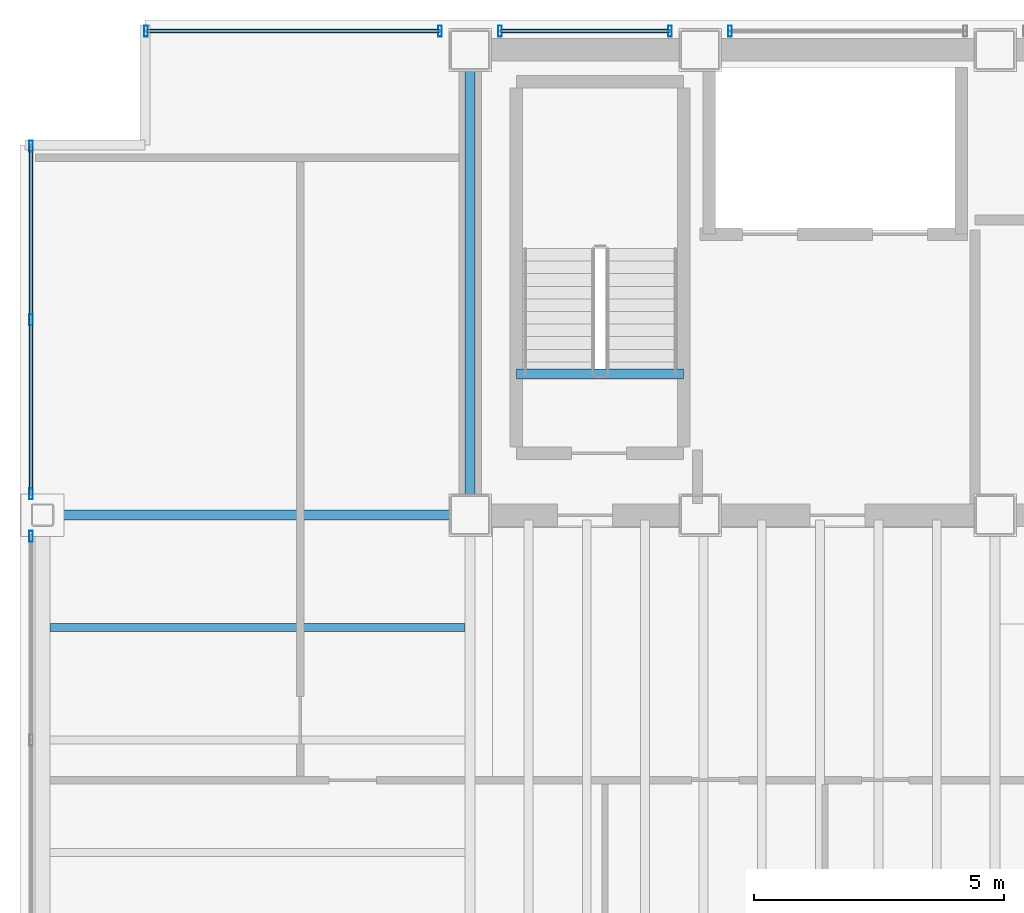
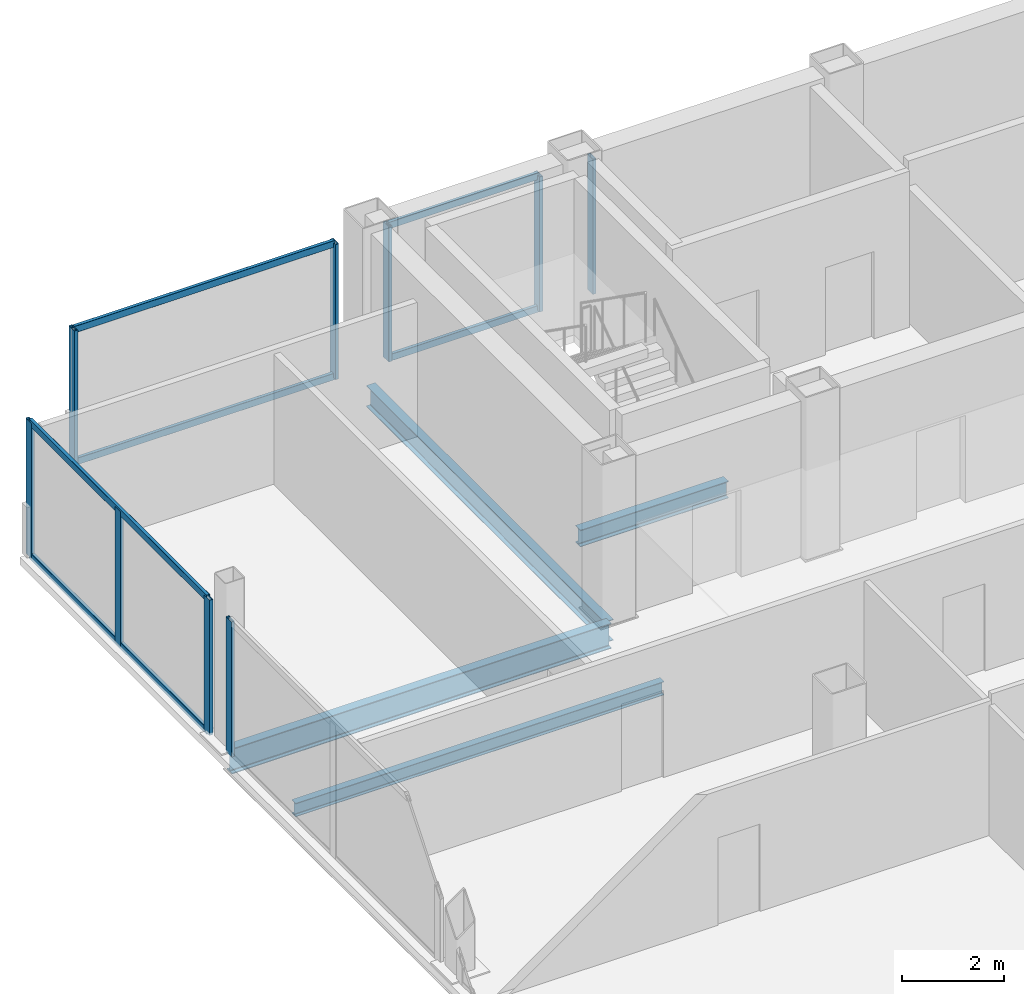
# One storey, part 8 of 17: 15 members, 4 beams, 5 elements without a shape of their own.
"""IFC4 building model written with IfcOpenShell, lengths in metres."""

from ifc_helpers import new_model, si_unit, direction, frame, origin, origin_2d, place, context, subcontext, project, spatial, hollow_rectangle, i_section, extrude, material, material_profile, profile_set, type_object, element, aggregate, save


model = new_model("IFC4")

# Units and contexts
model_context = context("Model", 3, precision=1e-05, world=origin(), true_north=direction((0.0, 1.0)))
body_context = subcontext(model_context, "Body", "Model", "MODEL_VIEW")
ifc_project = project(units=[si_unit("LENGTHUNIT", "METRE"), si_unit("AREAUNIT", "SQUARE_METRE"), si_unit("VOLUMEUNIT", "CUBIC_METRE"), si_unit("PLANEANGLEUNIT", "RADIAN"), si_unit("MASSUNIT", "GRAM", prefix="KILO")], contexts=[model_context])

# Site, building, storey
site_placement = place(None, origin())
site = spatial("IfcSite", under=ifc_project, at=site_placement, CompositionType="ELEMENT")
building_placement = place(site_placement, origin())
building = spatial("IfcBuilding", under=site, at=building_placement, Name="Noeulbin Bourse Tower", CompositionType="ELEMENT")
storey_placement = place(building_placement, frame((0.0, 0.0, 246.199951171875)))
storey = spatial("IfcBuildingStorey", under=building, at=storey_placement, Name="L61", CompositionType="ELEMENT", Elevation=246.199951171875)

# Beams
ifc_material_1 = material(Name="Steel S355", Category="steel")
ifc_material_profile_1 = material_profile(ifc_material_1, i_section(OverallWidth=0.199951171875, OverallDepth=0.5, WebThickness=0.010009765625, FlangeThickness=0.01611328125, FilletRadius=0.02001953125, at=origin_2d()), Name="H-500x200x10x16", Category="LoadBearing")
ifc_profile_set_1 = profile_set([ifc_material_profile_1], Name="Steel S355")
beam_type_1 = type_object("IfcBeamType", Name="BM-GRD-500", PredefinedType="USERDEFINED", material=ifc_profile_set_1)
beam_1_placement = place(storey_placement, frame((13.5, 29.0, -0.429931640625), z_axis=(0.0, 1.0, 0.0), x_axis=(-1.0, 0.0, 0.0)))
element("IfcBeam", 1, at=beam_1_placement, inside=storey, type_object=beam_type_1, Name="Tower Primary Girder NS L61-1.3", ObjectType="GIRDER", PredefinedType="USERDEFINED", context=body_context, shape_type="SweptSolid", body=[
    extrude(i_section(OverallWidth=0.199951171875, OverallDepth=0.5, WebThickness=0.010009765625, FlangeThickness=0.01611328125, FilletRadius=0.02001953125, at=origin_2d()), origin(), (0.0, 0.0, 1.0), 9.300048828125),
])
ifc_material_profile_2 = material_profile(ifc_material_1, i_section(OverallWidth=0.199951171875, OverallDepth=0.60009765625, WebThickness=0.010986328125, FlangeThickness=0.01708984375, FilletRadius=0.02197265625, at=origin_2d()), Name="H-600x200x11x17", Category="LoadBearing")
ifc_profile_set_2 = profile_set([ifc_material_profile_2], Name="Steel S355")
beam_type_2 = type_object("IfcBeamType", Name="BM-GRD-600", PredefinedType="USERDEFINED", material=ifc_profile_set_2)
beam_2_placement = place(storey_placement, frame((4.949951171875, 29.0, -0.47998046875), z_axis=(1.0, 0.0, 0.0), x_axis=(0.0, 1.0, 0.0)))
element("IfcBeam", 2, at=beam_2_placement, inside=storey, type_object=beam_type_2, Name="Tower Primary Girder EW L61-2.1", ObjectType="GIRDER", PredefinedType="USERDEFINED", context=body_context, shape_type="SweptSolid", body=[
    extrude(i_section(OverallWidth=0.199951171875, OverallDepth=0.60009765625, WebThickness=0.010986328125, FlangeThickness=0.01708984375, FilletRadius=0.02197265625, at=origin_2d()), origin(), (0.0, 0.0, 1.0), 8.550048828125),
])
ifc_material_profile_3 = material_profile(ifc_material_1, i_section(OverallWidth=0.159912109375, OverallDepth=0.320068359375, WebThickness=0.006591796875, FlangeThickness=0.010009765625, FilletRadius=0.012939453125, at=origin_2d()), Name="H-320x160x6.5x10", Category="LoadBearing")
ifc_profile_set_3 = profile_set([ifc_material_profile_3], Name="Steel S355")
beam_type_3 = type_object("IfcBeamType", Name="BM-JST-320", PredefinedType="JOIST", material=ifc_profile_set_3)
beam_3_placement = place(storey_placement, frame((5.10009765625, 26.75, -0.33984375), z_axis=(1.0, 0.0, 0.0), x_axis=(0.0, 1.0, 0.0)))
element("IfcBeam", 3, at=beam_3_placement, inside=storey, type_object=beam_type_3, Name="Wing Composite Joist L61-W39", PredefinedType="JOIST", context=body_context, shape_type="SweptSolid", body=[
    extrude(i_section(OverallWidth=0.159912109375, OverallDepth=0.320068359375, WebThickness=0.006591796875, FlangeThickness=0.010009765625, FilletRadius=0.012939453125, at=origin_2d()), origin(), (0.0, 0.0, 1.0), 8.2998046875),
])
ifc_material_profile_4 = material_profile(ifc_material_1, i_section(OverallWidth=0.199951171875, OverallDepth=0.39990234375, WebThickness=0.008056640625, FlangeThickness=0.012939453125, FilletRadius=0.01611328125, at=origin_2d()), Name="H-400x200x8x13", Category="LoadBearing")
ifc_profile_set_4 = profile_set([ifc_material_profile_4], Name="Steel S355")
beam_type_4 = type_object("IfcBeamType", Name="BM-SEC-400", PredefinedType="BEAM", material=ifc_profile_set_4)
beam_4_placement = place(storey_placement, frame((14.429931640625, 31.820068359375, -0.199951171875), z_axis=(1.0, 0.0, 0.0), x_axis=(0.0, 1.0, 0.0)))
element("IfcBeam", 4, at=beam_4_placement, inside=storey, type_object=beam_type_4, Name="Stair Threshold Trimmer Beam ST1-L61", PredefinedType="BEAM", context=body_context, shape_type="SweptSolid", body=[
    extrude(i_section(OverallWidth=0.199951171875, OverallDepth=0.39990234375, WebThickness=0.008056640625, FlangeThickness=0.012939453125, FilletRadius=0.01611328125, at=origin_2d()), origin(), (0.0, 0.0, 1.0), 3.340087890625),
])

# Curtain wall, members
ifc_material_2 = material(Name="High-Selectivity Low-Iron Glazing", Category="glass")
curtain_wall_type = type_object("IfcCurtainWallType", Name="CW-SYS-4", PredefinedType="NOTDEFINED", material=ifc_material_2)
curtain_wall_1_placement = place(storey_placement, origin())
curtain_wall_1 = element("IfcCurtainWall", 5, at=curtain_wall_1_placement, inside=storey, type_object=curtain_wall_type, Name="Unitised Curtain Wall CW-L61-N-S1", PredefinedType="NOTDEFINED")
ifc_material_3 = material(Name="Anodised Aluminium 6063-T6", Category="aluminium")
ifc_material_profile_5 = material_profile(ifc_material_3, hollow_rectangle(XDim=0.074951171875, YDim=0.219970703125, WallThickness=0.0048828125, InnerFilletRadius=0.00244140625, OuterFilletRadius=0.0048828125, at=origin_2d()), Name="ALU-MULL-75x220x5", Category="LoadBearing")
ifc_profile_set_5 = profile_set([ifc_material_profile_5], Name="Anodised Aluminium 6063-T6")
member_type_1 = type_object("IfcMemberType", Name="CW-SYS-4-MUL", PredefinedType="MULLION", material=ifc_profile_set_5)
member_1_placement = place(storey_placement, frame((7.02001953125, 38.679931640625, -0.02001953125), z_axis=(0.0, 0.0, 1.0), x_axis=(1.0, 0.0, 0.0)))
member_1 = element("IfcMember", 6, at=member_1_placement, type_object=member_type_1, Name="Curtain Wall Mullion CW-L61-N-S1-M00", PredefinedType="MULLION", context=body_context, shape_type="SweptSolid", body=[
    extrude(hollow_rectangle(XDim=0.074951171875, YDim=0.219970703125, WallThickness=0.0048828125, InnerFilletRadius=0.00244140625, OuterFilletRadius=0.0048828125, at=origin_2d()), origin(), (0.0, 0.0, 1.0), 3.219970703125),
])
member_2_placement = place(storey_placement, frame((12.89990234375, 38.679931640625, -0.02001953125), z_axis=(0.0, 0.0, 1.0), x_axis=(1.0, 0.0, 0.0)))
member_2 = element("IfcMember", 7, at=member_2_placement, type_object=member_type_1, Name="Curtain Wall Mullion CW-L61-N-S1-M01", PredefinedType="MULLION", context=body_context, shape_type="SweptSolid", body=[
    extrude(hollow_rectangle(XDim=0.074951171875, YDim=0.219970703125, WallThickness=0.0048828125, InnerFilletRadius=0.00244140625, OuterFilletRadius=0.0048828125, at=origin_2d()), origin(), (0.0, 0.0, 1.0), 3.219970703125),
])

curtain_wall_2_placement = place(storey_placement, origin())
curtain_wall_2 = element("IfcCurtainWall", 8, at=curtain_wall_2_placement, inside=storey, type_object=curtain_wall_type, Name="Unitised Curtain Wall CW-L61-N-S2", PredefinedType="NOTDEFINED")
member_3_placement = place(storey_placement, frame((14.10009765625, 38.679931640625, -0.02001953125), z_axis=(0.0, 0.0, 1.0), x_axis=(1.0, 0.0, 0.0)))
member_3 = element("IfcMember", 9, at=member_3_placement, type_object=member_type_1, Name="Curtain Wall Mullion CW-L61-N-S2-M00", PredefinedType="MULLION", context=body_context, shape_type="SweptSolid", body=[
    extrude(hollow_rectangle(XDim=0.074951171875, YDim=0.219970703125, WallThickness=0.0048828125, InnerFilletRadius=0.00244140625, OuterFilletRadius=0.0048828125, at=origin_2d()), origin(), (0.0, 0.0, 1.0), 3.219970703125),
])
member_4_placement = place(storey_placement, frame((17.5, 38.679931640625, -0.02001953125), z_axis=(0.0, 0.0, 1.0), x_axis=(1.0, 0.0, 0.0)))
member_4 = element("IfcMember", 10, at=member_4_placement, type_object=member_type_1, Name="Curtain Wall Mullion CW-L61-N-S2-M01", PredefinedType="MULLION", context=body_context, shape_type="SweptSolid", body=[
    extrude(hollow_rectangle(XDim=0.074951171875, YDim=0.219970703125, WallThickness=0.0048828125, InnerFilletRadius=0.00244140625, OuterFilletRadius=0.0048828125, at=origin_2d()), origin(), (0.0, 0.0, 1.0), 3.219970703125),
])

# Curtain wall, member
curtain_wall_3_placement = place(storey_placement, origin())
curtain_wall_3 = element("IfcCurtainWall", 11, at=curtain_wall_3_placement, inside=storey, type_object=curtain_wall_type, Name="Unitised Curtain Wall CW-L61-N-S3", PredefinedType="NOTDEFINED")
member_5_placement = place(storey_placement, frame((18.699951171875, 38.679931640625, -0.02001953125), z_axis=(0.0, 0.0, 1.0), x_axis=(1.0, 0.0, 0.0)))
member_5 = element("IfcMember", 12, at=member_5_placement, type_object=member_type_1, Name="Curtain Wall Mullion CW-L61-N-S3-M00", PredefinedType="MULLION", context=body_context, shape_type="SweptSolid", body=[
    extrude(hollow_rectangle(XDim=0.074951171875, YDim=0.219970703125, WallThickness=0.0048828125, InnerFilletRadius=0.00244140625, OuterFilletRadius=0.0048828125, at=origin_2d()), origin(), (0.0, 0.0, 1.0), 3.219970703125),
])
aggregate(curtain_wall_3, [member_5])

curtain_wall_4_placement = place(storey_placement, origin())
curtain_wall_4 = element("IfcCurtainWall", 13, at=curtain_wall_4_placement, inside=storey, type_object=curtain_wall_type, Name="Unitised Curtain Wall CW-L61-W-S2", PredefinedType="NOTDEFINED")
member_6_placement = place(storey_placement, frame((4.719970703125, 28.574951171875, -0.02001953125), z_axis=(0.0, 0.0, 1.0), x_axis=(1.0, 0.0, 0.0)))
member_6 = element("IfcMember", 14, at=member_6_placement, type_object=member_type_1, Name="Curtain Wall Mullion CW-L61-W-S2-M02", PredefinedType="MULLION", context=body_context, shape_type="SweptSolid", body=[
    extrude(hollow_rectangle(XDim=0.074951171875, YDim=0.219970703125, WallThickness=0.0048828125, InnerFilletRadius=0.00244140625, OuterFilletRadius=0.0048828125, at=origin_2d()), origin(), (0.0, 0.0, 1.0), 3.219970703125),
])
aggregate(curtain_wall_4, [member_6])

# Curtain wall, members
curtain_wall_5_placement = place(storey_placement, origin())
curtain_wall_5 = element("IfcCurtainWall", 15, at=curtain_wall_5_placement, inside=storey, type_object=curtain_wall_type, Name="Unitised Curtain Wall CW-L61-W-S3", PredefinedType="NOTDEFINED")
member_7_placement = place(storey_placement, frame((4.719970703125, 29.425048828125, -0.02001953125), z_axis=(0.0, 0.0, 1.0), x_axis=(1.0, 0.0, 0.0)))
member_7 = element("IfcMember", 16, at=member_7_placement, type_object=member_type_1, Name="Curtain Wall Mullion CW-L61-W-S3-M00", PredefinedType="MULLION", context=body_context, shape_type="SweptSolid", body=[
    extrude(hollow_rectangle(XDim=0.074951171875, YDim=0.219970703125, WallThickness=0.0048828125, InnerFilletRadius=0.00244140625, OuterFilletRadius=0.0048828125, at=origin_2d()), origin(), (0.0, 0.0, 1.0), 3.219970703125),
])
member_8_placement = place(storey_placement, frame((4.719970703125, 32.902587890625, -0.02001953125), z_axis=(0.0, 0.0, 1.0), x_axis=(1.0, 0.0, 0.0)))
member_8 = element("IfcMember", 17, at=member_8_placement, type_object=member_type_1, Name="Curtain Wall Mullion CW-L61-W-S3-M01", PredefinedType="MULLION", context=body_context, shape_type="SweptSolid", body=[
    extrude(hollow_rectangle(XDim=0.074951171875, YDim=0.219970703125, WallThickness=0.0048828125, InnerFilletRadius=0.00244140625, OuterFilletRadius=0.0048828125, at=origin_2d()), origin(), (0.0, 0.0, 1.0), 3.219970703125),
])
member_9_placement = place(storey_placement, frame((4.719970703125, 36.3798828125, -0.02001953125), z_axis=(0.0, 0.0, 1.0), x_axis=(1.0, 0.0, 0.0)))
member_9 = element("IfcMember", 18, at=member_9_placement, type_object=member_type_1, Name="Curtain Wall Mullion CW-L61-W-S3-M02", PredefinedType="MULLION", context=body_context, shape_type="SweptSolid", body=[
    extrude(hollow_rectangle(XDim=0.074951171875, YDim=0.219970703125, WallThickness=0.0048828125, InnerFilletRadius=0.00244140625, OuterFilletRadius=0.0048828125, at=origin_2d()), origin(), (0.0, 0.0, 1.0), 3.219970703125),
])

# Member
ifc_material_profile_6 = material_profile(ifc_material_3, hollow_rectangle(XDim=0.074951171875, YDim=0.159912109375, WallThickness=0.0048828125, InnerFilletRadius=0.00244140625, OuterFilletRadius=0.0048828125, at=origin_2d()), Name="ALU-TRAN-75x160x5", Category="LoadBearing")
ifc_profile_set_6 = profile_set([ifc_material_profile_6], Name="Anodised Aluminium 6063-T6")
member_type_2 = type_object("IfcMemberType", Name="CW-SYS-4-TRN", PredefinedType="USERDEFINED", material=ifc_profile_set_6)
member_10_placement = place(storey_placement, frame((7.030029296875, 38.679931640625, 0.010009765625), z_axis=(1.0, 0.0, 0.0), x_axis=(0.0, 1.0, 0.0)))
member_10 = element("IfcMember", 19, at=member_10_placement, type_object=member_type_2, Name="Curtain Wall Transom CW-L61-N-S1-T00", ObjectType="TRANSOM", PredefinedType="USERDEFINED", context=body_context, shape_type="SweptSolid", body=[
    extrude(hollow_rectangle(XDim=0.074951171875, YDim=0.159912109375, WallThickness=0.0048828125, InnerFilletRadius=0.00244140625, OuterFilletRadius=0.0048828125, at=origin_2d()), origin(), (0.0, 0.0, 1.0), 5.85986328125),
])

member_11_placement = place(storey_placement, frame((7.030029296875, 38.679931640625, 3.170166015625), z_axis=(1.0, 0.0, 0.0), x_axis=(0.0, 1.0, 0.0)))
member_11 = element("IfcMember", 20, at=member_11_placement, type_object=member_type_2, Name="Curtain Wall Transom CW-L61-N-S1-T01", ObjectType="TRANSOM", PredefinedType="USERDEFINED", context=body_context, shape_type="SweptSolid", body=[
    extrude(hollow_rectangle(XDim=0.074951171875, YDim=0.159912109375, WallThickness=0.0048828125, InnerFilletRadius=0.00244140625, OuterFilletRadius=0.0048828125, at=origin_2d()), origin(), (0.0, 0.0, 1.0), 5.85986328125),
])

aggregate(curtain_wall_1, [member_1, member_2, member_10, member_11])

member_12_placement = place(storey_placement, frame((14.110107421875, 38.679931640625, 0.010009765625), z_axis=(1.0, 0.0, 0.0), x_axis=(0.0, 1.0, 0.0)))
member_12 = element("IfcMember", 21, at=member_12_placement, type_object=member_type_2, Name="Curtain Wall Transom CW-L61-N-S2-T00", ObjectType="TRANSOM", PredefinedType="USERDEFINED", context=body_context, shape_type="SweptSolid", body=[
    extrude(hollow_rectangle(XDim=0.074951171875, YDim=0.159912109375, WallThickness=0.0048828125, InnerFilletRadius=0.00244140625, OuterFilletRadius=0.0048828125, at=origin_2d()), origin(), (0.0, 0.0, 1.0), 3.3798828125),
])

member_13_placement = place(storey_placement, frame((14.110107421875, 38.679931640625, 3.170166015625), z_axis=(1.0, 0.0, 0.0), x_axis=(0.0, 1.0, 0.0)))
member_13 = element("IfcMember", 22, at=member_13_placement, type_object=member_type_2, Name="Curtain Wall Transom CW-L61-N-S2-T01", ObjectType="TRANSOM", PredefinedType="USERDEFINED", context=body_context, shape_type="SweptSolid", body=[
    extrude(hollow_rectangle(XDim=0.074951171875, YDim=0.159912109375, WallThickness=0.0048828125, InnerFilletRadius=0.00244140625, OuterFilletRadius=0.0048828125, at=origin_2d()), origin(), (0.0, 0.0, 1.0), 3.3798828125),
])

aggregate(curtain_wall_2, [member_3, member_4, member_12, member_13])

member_14_placement = place(storey_placement, frame((4.719970703125, 29.43505859375, 0.010009765625), z_axis=(0.0, 1.0, 0.0), x_axis=(-1.0, 0.0, 0.0)))
member_14 = element("IfcMember", 23, at=member_14_placement, type_object=member_type_2, Name="Curtain Wall Transom CW-L61-W-S3-T00", ObjectType="TRANSOM", PredefinedType="USERDEFINED", context=body_context, shape_type="SweptSolid", body=[
    extrude(hollow_rectangle(XDim=0.074951171875, YDim=0.159912109375, WallThickness=0.0048828125, InnerFilletRadius=0.00244140625, OuterFilletRadius=0.0048828125, at=origin_2d()), origin(), (0.0, 0.0, 1.0), 6.93505859375),
])

member_15_placement = place(storey_placement, frame((4.719970703125, 29.43505859375, 3.170166015625), z_axis=(0.0, 1.0, 0.0), x_axis=(-1.0, 0.0, 0.0)))
member_15 = element("IfcMember", 24, at=member_15_placement, type_object=member_type_2, Name="Curtain Wall Transom CW-L61-W-S3-T01", ObjectType="TRANSOM", PredefinedType="USERDEFINED", context=body_context, shape_type="SweptSolid", body=[
    extrude(hollow_rectangle(XDim=0.074951171875, YDim=0.159912109375, WallThickness=0.0048828125, InnerFilletRadius=0.00244140625, OuterFilletRadius=0.0048828125, at=origin_2d()), origin(), (0.0, 0.0, 1.0), 6.93505859375),
])

aggregate(curtain_wall_5, [member_7, member_8, member_9, member_14, member_15])

save(model, "model.ifc")
